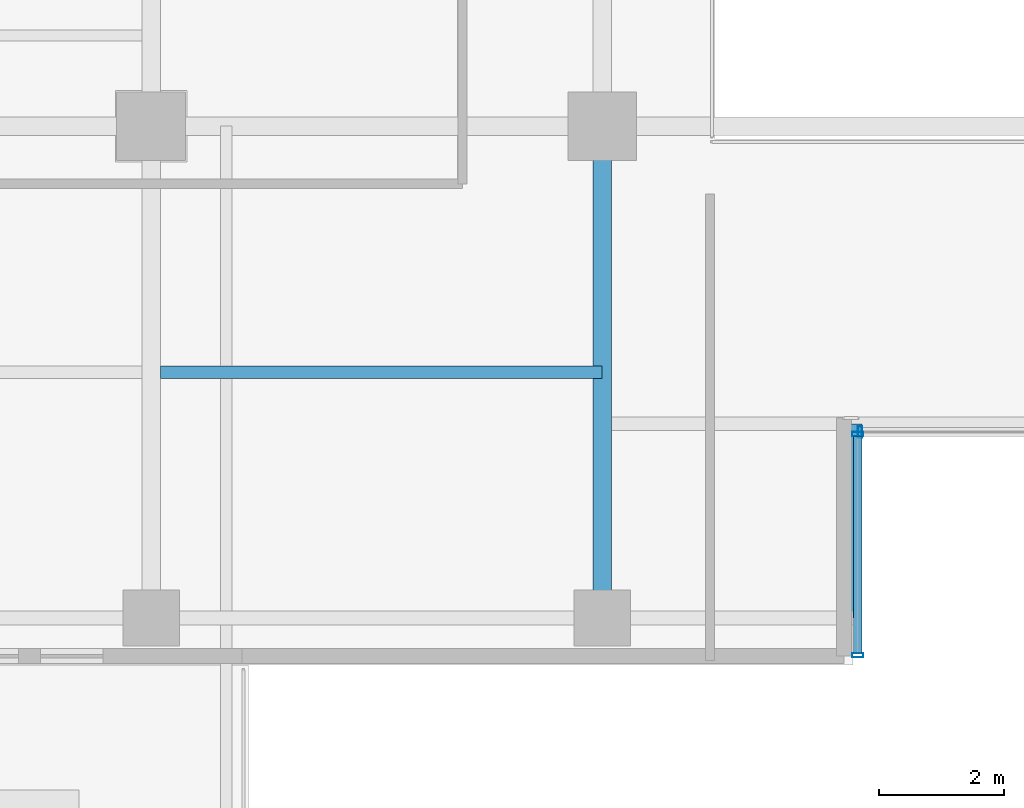
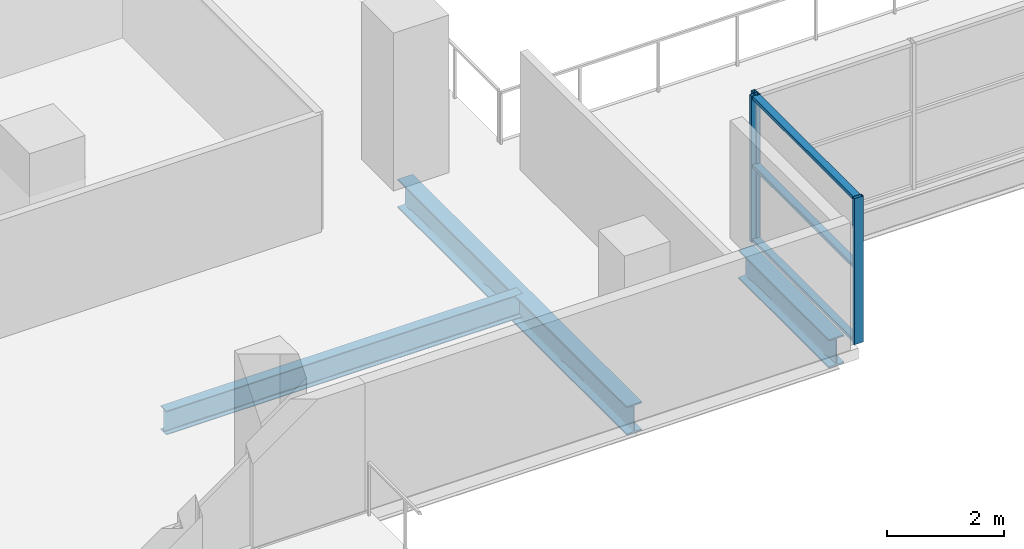
# One storey, part 3 of 30: 6 members, 3 beams, 2 elements without a shape of their own.
"""IFC4 building model written with IfcOpenShell, lengths in metres."""

from ifc_helpers import new_model, si_unit, direction, frame, origin, origin_2d, place, context, subcontext, project, spatial, hollow_rectangle, i_section, extrude, source, transform, mapped, material, layer, layer_set, material_profile, profile_set, type_object, element, aggregate, save


model = new_model("IFC4")

# Units and contexts
model_context = context("Model", 3, precision=1e-05, world=origin(), true_north=direction((0.0, 1.0)))
body_context = subcontext(model_context, "Body", "Model", "MODEL_VIEW")
ifc_project = project(units=[si_unit("LENGTHUNIT", "METRE"), si_unit("AREAUNIT", "SQUARE_METRE"), si_unit("VOLUMEUNIT", "CUBIC_METRE"), si_unit("PLANEANGLEUNIT", "RADIAN"), si_unit("MASSUNIT", "GRAM", prefix="KILO")], contexts=[model_context])

# Site, building, storey
site_placement = place(None, origin())
site = spatial("IfcSite", under=ifc_project, at=site_placement, CompositionType="ELEMENT")
building_placement = place(site_placement, origin())
building = spatial("IfcBuilding", under=site, at=building_placement, Name="Zarnakvel Exchange Tower", CompositionType="ELEMENT")
storey_placement = place(building_placement, frame((0.0, 0.0, 40.60009765625)))
storey = spatial("IfcBuildingStorey", under=building, at=storey_placement, Name="L10", CompositionType="ELEMENT", Elevation=40.60009765625)

# Beams
ifc_material_1 = material(Name="Steel S355", Category="steel")
ifc_material_profile_1 = material_profile(ifc_material_1, i_section(OverallWidth=0.199951171875, OverallDepth=0.5, WebThickness=0.01025390625, FlangeThickness=0.01611328125, FilletRadius=0.02099609375, at=origin_2d()))
ifc_profile_set_1 = profile_set([ifc_material_profile_1], Name="Steel S355")
beam_type_1 = type_object("IfcBeamType", Name="B-04", PredefinedType="JOIST", material=ifc_profile_set_1)
beam_1_placement = place(storey_placement, frame((-14.25, -13.52490234375, -0.47509765625), z_axis=(1.0, 0.0, 0.0), x_axis=(0.0, 1.0, 0.0)))
element("IfcBeam", 1, at=beam_1_placement, inside=storey, type_object=beam_type_1, Name="L10 Composite Floor Secondary Joist", PredefinedType="JOIST", context=body_context, shape_type="SweptSolid", body=[
    extrude(i_section(OverallWidth=0.199951171875, OverallDepth=0.5, WebThickness=0.01025390625, FlangeThickness=0.01611328125, FilletRadius=0.02099609375, at=origin_2d()), origin(), (0.0, 0.0, 1.0), 7.050048828125),
])
ifc_material_profile_2 = material_profile(ifc_material_1, i_section(OverallWidth=0.300048828125, OverallDepth=0.60009765625, WebThickness=0.015380859375, FlangeThickness=0.030029296875, FilletRadius=0.027099609375, at=origin_2d()))
ifc_profile_set_2 = profile_set([ifc_material_profile_2], Name="Steel S355")
beam_type_2 = type_object("IfcBeamType", Name="G-04", PredefinedType="BEAM", material=ifc_profile_set_2)
beam_2_placement = place(storey_placement, frame((-3.199951171875, -17.449951171875, -0.525146484375), z_axis=(0.0, 1.0, 0.0), x_axis=(-1.0, 0.0, 0.0)))
element("IfcBeam", 2, at=beam_2_placement, inside=storey, type_object=beam_type_2, Name="L10 South Slot West Cheek Beam", PredefinedType="BEAM", context=body_context, shape_type="SweptSolid", body=[
    extrude(i_section(OverallWidth=0.300048828125, OverallDepth=0.60009765625, WebThickness=0.015380859375, FlangeThickness=0.030029296875, FilletRadius=0.027099609375, at=origin_2d()), origin(), (0.0, 0.0, 1.0), 3.099853515625),
])
beam_3_placement = place(storey_placement, frame((-7.199951171875, -17.449951171875, -0.525146484375), z_axis=(0.0, 1.0, 0.0), x_axis=(-1.0, 0.0, 0.0)))
element("IfcBeam", 3, at=beam_3_placement, inside=storey, type_object=beam_type_2, Name="L10 Tower N-S Frame Beam", PredefinedType="BEAM", context=body_context, shape_type="SweptSolid", body=[
    extrude(i_section(OverallWidth=0.300048828125, OverallDepth=0.60009765625, WebThickness=0.015380859375, FlangeThickness=0.030029296875, FilletRadius=0.027099609375, at=origin_2d()), origin(), (0.0, 0.0, 1.0), 7.849853515625),
])

# Curtain wall, members
ifc_material_2 = material(Name="Architectural Bronze Anodised Aluminium", Category="aluminium")
ifc_layer = layer(ifc_material_2, 0.179931640625)
ifc_layer_set = layer_set([ifc_layer], Name="Architectural Bronze Anodised Aluminium")
curtain_wall_type = type_object("IfcCurtainWallType", Name="CW-05", PredefinedType="NOTDEFINED", material=ifc_layer_set)
curtain_wall_1_placement = place(storey_placement, origin())
curtain_wall_1 = element("IfcCurtainWall", 4, at=curtain_wall_1_placement, inside=storey, type_object=curtain_wall_type, Name="L10 Curtain Wall CW-L10-SLW (CW-05)", PredefinedType="NOTDEFINED")
ifc_material_profile_3 = material_profile(ifc_material_2, hollow_rectangle(XDim=0.139892578125, YDim=0.070068359375, WallThickness=0.00390625, at=origin_2d()))
ifc_profile_set_3 = profile_set([ifc_material_profile_3], Name="Architectural Bronze Anodised Aluminium")
member_type_1 = type_object("IfcMemberType", Name="CWT-05", PredefinedType="USERDEFINED", material=ifc_profile_set_3)
shared_shape_1 = source(origin(), body_context, "Body", "SweptSolid", [
    extrude(hollow_rectangle(XDim=0.139892578125, YDim=0.070068359375, WallThickness=0.00390625, at=origin_2d()), origin(), (0.0, 0.0, 1.0), 3.4599609375),
])
member_1_placement = place(storey_placement, frame((-3.1201171875, -18.010009765625, 0.034912109375), z_axis=(0.0, 1.0, 0.0), x_axis=(-1.0, 0.0, 0.0)))
member_1 = element("IfcMember", 5, at=member_1_placement, type_object=member_type_1, Name="CW-05 transom 1.1", ObjectType="TRANSOM", PredefinedType="USERDEFINED", context=body_context, shape_type="MappedRepresentation", body=[
    mapped(shared_shape_1, transform((0.0, 0.0, 0.0), x_axis=(1.0, 0.0, 0.0), y_axis=(0.0, 1.0, 0.0), z_axis=(0.0, 0.0, 1.0), scale=1.0)),
])
member_2_placement = place(storey_placement, frame((-3.1201171875, -18.010009765625, 1.588623046875), z_axis=(0.0, 1.0, 0.0), x_axis=(-1.0, 0.0, 0.0)))
member_2 = element("IfcMember", 6, at=member_2_placement, type_object=member_type_1, Name="CW-05 transom 1.2", ObjectType="TRANSOM", PredefinedType="USERDEFINED", context=body_context, shape_type="MappedRepresentation", body=[
    mapped(shared_shape_1, transform((0.0, 0.0, 0.0), x_axis=(1.0, 0.0, 0.0), y_axis=(0.0, 1.0, 0.0), z_axis=(0.0, 0.0, 1.0), scale=1.0)),
])
member_3_placement = place(storey_placement, frame((-3.1201171875, -18.010009765625, 3.02001953125), z_axis=(0.0, 1.0, 0.0), x_axis=(-1.0, 0.0, 0.0)))
member_3 = element("IfcMember", 7, at=member_3_placement, type_object=member_type_1, Name="CW-05 transom 1.3", ObjectType="TRANSOM", PredefinedType="USERDEFINED", context=body_context, shape_type="MappedRepresentation", body=[
    mapped(shared_shape_1, transform((0.0, 0.0, 0.0), x_axis=(1.0, 0.0, 0.0), y_axis=(0.0, 1.0, 0.0), z_axis=(0.0, 0.0, 1.0), scale=1.0)),
])
ifc_material_profile_4 = material_profile(ifc_material_2, hollow_rectangle(XDim=0.179931640625, YDim=0.070068359375, WallThickness=0.00390625, at=origin_2d()))
ifc_profile_set_4 = profile_set([ifc_material_profile_4], Name="Architectural Bronze Anodised Aluminium")
member_type_2 = type_object("IfcMemberType", Name="CWM-05", PredefinedType="MULLION", material=ifc_profile_set_4)
shared_shape_2 = source(origin(), body_context, "Body", "SweptSolid", [
    extrude(hollow_rectangle(XDim=0.179931640625, YDim=0.070068359375, WallThickness=0.00390625, at=origin_2d()), origin(), (0.0, 0.0, 1.0), 3.054931640625),
])
member_4_placement = place(storey_placement, frame((-3.1201171875, -18.044921875, 0.0), z_axis=(0.0, 0.0, 1.0), x_axis=(-1.0, 0.0, 0.0)))
member_4 = element("IfcMember", 8, at=member_4_placement, type_object=member_type_2, Name="CW-05 mullion 1", PredefinedType="MULLION", context=body_context, shape_type="MappedRepresentation", body=[
    mapped(shared_shape_2, transform((0.0, 0.0, 0.0), x_axis=(1.0, 0.0, 0.0), y_axis=(0.0, 1.0, 0.0), z_axis=(0.0, 0.0, 1.0), scale=1.0)),
])
member_5_placement = place(storey_placement, frame((-3.1201171875, -14.514892578125, 0.0), z_axis=(0.0, 0.0, 1.0), x_axis=(-1.0, 0.0, 0.0)))
member_5 = element("IfcMember", 9, at=member_5_placement, type_object=member_type_2, Name="CW-05 mullion 2", PredefinedType="MULLION", context=body_context, shape_type="MappedRepresentation", body=[
    mapped(shared_shape_2, transform((0.0, 0.0, 0.0), x_axis=(1.0, 0.0, 0.0), y_axis=(0.0, 1.0, 0.0), z_axis=(0.0, 0.0, 1.0), scale=1.0)),
])
aggregate(curtain_wall_1, [member_4, member_5, member_1, member_2, member_3])

# Curtain wall, member
curtain_wall_2_placement = place(storey_placement, origin())
curtain_wall_2 = element("IfcCurtainWall", 10, at=curtain_wall_2_placement, inside=storey, type_object=curtain_wall_type, Name="L10 Curtain Wall CW-L10-SLB (CW-05)", PredefinedType="NOTDEFINED")
member_6_placement = place(storey_placement, frame((-3.0849609375, -14.47998046875, 0.0), z_axis=(0.0, 0.0, 1.0), x_axis=(0.0, 1.0, 0.0)))
member_6 = element("IfcMember", 11, at=member_6_placement, type_object=member_type_2, Name="CW-05 mullion 1", PredefinedType="MULLION", context=body_context, shape_type="MappedRepresentation", body=[
    mapped(shared_shape_2, transform((0.0, 0.0, 0.0), x_axis=(1.0, 0.0, 0.0), y_axis=(0.0, 1.0, 0.0), z_axis=(0.0, 0.0, 1.0), scale=1.0)),
])
aggregate(curtain_wall_2, [member_6])

save(model, "model.ifc")
